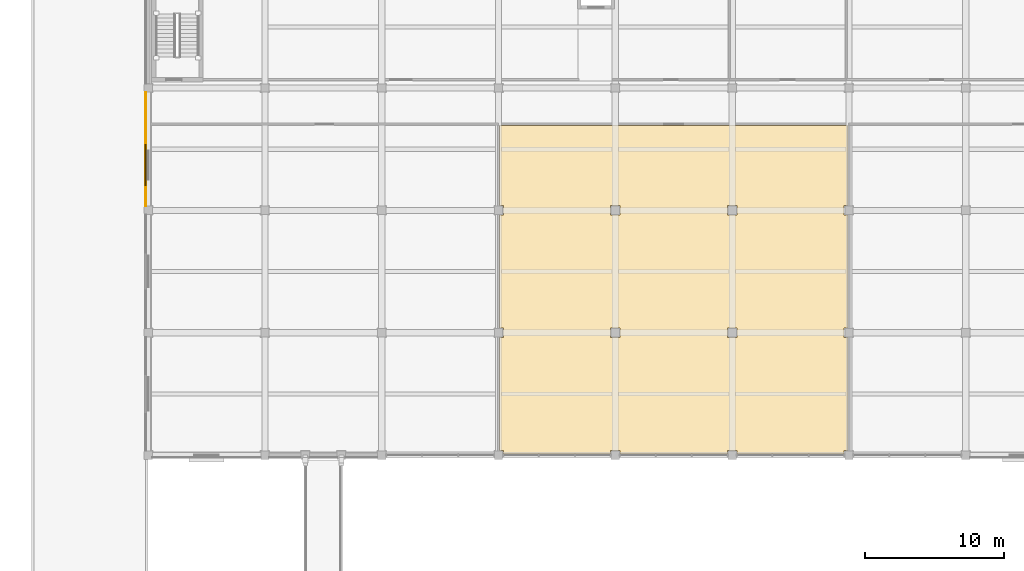
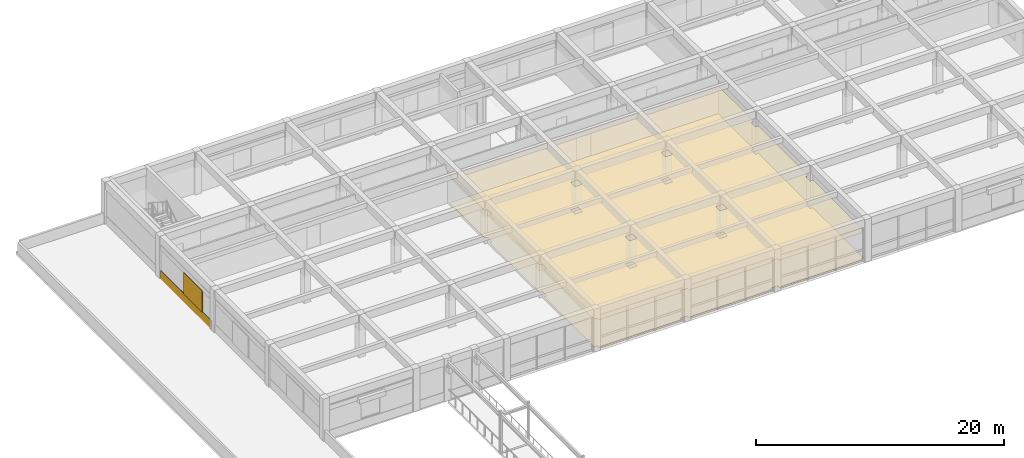
# One storey, part 49 of 57: 3 coverings, 1 shading device.
"""IFC4 building model written with IfcOpenShell, lengths in metres."""

from ifc_helpers import new_model, si_unit, direction, frame, origin, origin_2d, place, context, subcontext, project, spatial, polyline, rectangle, outline, extrude, material, layer, layer_set, type_object, element, save


model = new_model("IFC4")

# Units and contexts
model_context = context("Model", 3, precision=1e-05, world=origin(), true_north=direction((0.0, 1.0)))
body_context = subcontext(model_context, "Body", "Model", "MODEL_VIEW")
ifc_project = project(units=[si_unit("LENGTHUNIT", "METRE"), si_unit("AREAUNIT", "SQUARE_METRE"), si_unit("VOLUMEUNIT", "CUBIC_METRE"), si_unit("PLANEANGLEUNIT", "RADIAN"), si_unit("MASSUNIT", "GRAM", prefix="KILO")], contexts=[model_context])

# Site, building, storey
site_placement = place(None, origin())
site = spatial("IfcSite", under=ifc_project, at=site_placement, CompositionType="ELEMENT")
building_placement = place(site_placement, origin())
building = spatial("IfcBuilding", under=site, at=building_placement, Name="Kemercrest Conservatory and Botanical Centre", CompositionType="ELEMENT")
storey_placement = place(building_placement, frame((0.0, 0.0, 4.800048828125)))
storey = spatial("IfcBuildingStorey", under=building, at=storey_placement, Name="L01", CompositionType="ELEMENT", Elevation=4.800048828125)

# Coverings
ifc_material_1 = material(Name="Honed limestone almasik ashlar rainscreen", Category="masonry")
ifc_layer_1 = layer(ifc_material_1, 0.0400390625)
ifc_layer_set_1 = layer_set([ifc_layer_1], Name="Honed limestone almasik ashlar rainscreen")
covering_type_1 = type_object("IfcCoveringType", Name="CV-CLD040", PredefinedType="CLADDING", material=ifc_layer_set_1)
covering_1_placement = place(storey_placement, origin())
element("IfcCovering", 1, at=covering_1_placement, inside=storey, type_object=covering_type_1, Name="Exterior stone spandrel cladding (WAL:L01:EXT-114)", PredefinedType="CLADDING", context=body_context, shape_type="SweptSolid", body=[
    extrude(outline(polyline([(16.25, 113.2900390625), (16.2099609375, 113.2900390625), (16.2099609375, 105.110107421875), (16.25, 105.110107421875), (16.25, 113.2900390625)])), origin(), (0.0, 0.0, 1.0), 0.849853515625),
])
ifc_material_2 = material(Name="Perforated acoustic gypsum and mineral-fibre suspended ceiling", Category="gypsum")
ifc_layer_2 = layer(ifc_material_2, 0.034912109375)
ifc_layer_set_2 = layer_set([ifc_layer_2], Name="Perforated acoustic gypsum and mineral-fibre suspended ceiling")
covering_type_2 = type_object("IfcCoveringType", Name="CV-CLG035", PredefinedType="CEILING", material=ifc_layer_set_2)
covering_2_placement = place(storey_placement, frame((0.0, 0.0, 2.699951171875)))
element("IfcCovering", 2, at=covering_2_placement, inside=storey, type_object=covering_type_2, Name="Teaching Classroom suspended acoustic ceiling", PredefinedType="CEILING", context=body_context, shape_type="SweptSolid", body=[
    extrude(outline(polyline([(58.06005859375, 87.5400390625), (58.739990234375, 87.5400390625), (58.739990234375, 87.280029296875), (66.4599609375, 87.280029296875), (66.4599609375, 87.5400390625), (66.719970703125, 87.5400390625), (66.719970703125, 95.659912109375), (66.4599609375, 95.659912109375), (66.4599609375, 96.340087890625), (66.719970703125, 96.340087890625), (66.719970703125, 104.4599609375), (66.4599609375, 104.4599609375), (66.4599609375, 105.139892578125), (66.719970703125, 105.139892578125), (66.719970703125, 110.919921875), (41.679931640625, 110.919921875), (41.679931640625, 105.139892578125), (41.93994140625, 105.139892578125), (41.93994140625, 104.4599609375), (41.679931640625, 104.4599609375), (41.679931640625, 96.340087890625), (41.93994140625, 96.340087890625), (41.93994140625, 95.659912109375), (41.679931640625, 95.659912109375), (41.679931640625, 87.5400390625), (41.93994140625, 87.5400390625), (41.93994140625, 87.280029296875), (49.659912109375, 87.280029296875), (49.659912109375, 87.5400390625), (50.340087890625, 87.5400390625), (50.340087890625, 87.280029296875), (58.06005859375, 87.280029296875), (58.06005859375, 87.5400390625)]), holes=[polyline([(58.06005859375, 104.4599609375), (58.06005859375, 105.139892578125), (58.739990234375, 105.139892578125), (58.739990234375, 104.4599609375), (58.06005859375, 104.4599609375)]), polyline([(58.739990234375, 95.659912109375), (58.06005859375, 95.659912109375), (58.06005859375, 96.340087890625), (58.739990234375, 96.340087890625), (58.739990234375, 95.659912109375)]), polyline([(49.659912109375, 95.659912109375), (49.659912109375, 96.340087890625), (50.340087890625, 96.340087890625), (50.340087890625, 95.659912109375), (49.659912109375, 95.659912109375)]), polyline([(50.340087890625, 104.4599609375), (49.659912109375, 104.4599609375), (49.659912109375, 105.139892578125), (50.340087890625, 105.139892578125), (50.340087890625, 104.4599609375)])]), origin(), (0.0, 0.0, 1.0), 0.034912109375),
])
ifc_material_3 = material(Name="Polished limestone terrazzo and seamless laboratory epoxy flooring", Category="masonry")
ifc_layer_3 = layer(ifc_material_3, 0.02001953125)
ifc_layer_set_3 = layer_set([ifc_layer_3], Name="Polished limestone terrazzo and seamless laboratory epoxy flooring")
covering_type_3 = type_object("IfcCoveringType", Name="CV-FLR020", PredefinedType="FLOORING", material=ifc_layer_set_3)
covering_3_placement = place(storey_placement, origin())
element("IfcCovering", 3, at=covering_3_placement, inside=storey, type_object=covering_type_3, Name="Teaching Classroom floor finish", PredefinedType="FLOORING", context=body_context, shape_type="SweptSolid", body=[
    extrude(outline(polyline([(58.06005859375, 87.5400390625), (58.739990234375, 87.5400390625), (58.739990234375, 87.280029296875), (66.4599609375, 87.280029296875), (66.4599609375, 87.5400390625), (66.719970703125, 87.5400390625), (66.719970703125, 95.659912109375), (66.4599609375, 95.659912109375), (66.4599609375, 96.340087890625), (66.719970703125, 96.340087890625), (66.719970703125, 104.4599609375), (66.4599609375, 104.4599609375), (66.4599609375, 105.139892578125), (66.719970703125, 105.139892578125), (66.719970703125, 110.919921875), (41.679931640625, 110.919921875), (41.679931640625, 105.139892578125), (41.93994140625, 105.139892578125), (41.93994140625, 104.4599609375), (41.679931640625, 104.4599609375), (41.679931640625, 96.340087890625), (41.93994140625, 96.340087890625), (41.93994140625, 95.659912109375), (41.679931640625, 95.659912109375), (41.679931640625, 87.5400390625), (41.93994140625, 87.5400390625), (41.93994140625, 87.280029296875), (49.659912109375, 87.280029296875), (49.659912109375, 87.5400390625), (50.340087890625, 87.5400390625), (50.340087890625, 87.280029296875), (58.06005859375, 87.280029296875), (58.06005859375, 87.5400390625)]), holes=[polyline([(58.06005859375, 104.4599609375), (58.06005859375, 105.139892578125), (58.739990234375, 105.139892578125), (58.739990234375, 104.4599609375), (58.06005859375, 104.4599609375)]), polyline([(58.739990234375, 95.659912109375), (58.06005859375, 95.659912109375), (58.06005859375, 96.340087890625), (58.739990234375, 96.340087890625), (58.739990234375, 95.659912109375)]), polyline([(49.659912109375, 95.659912109375), (49.659912109375, 96.340087890625), (50.340087890625, 96.340087890625), (50.340087890625, 95.659912109375), (49.659912109375, 95.659912109375)]), polyline([(50.340087890625, 104.4599609375), (49.659912109375, 104.4599609375), (49.659912109375, 105.139892578125), (50.340087890625, 105.139892578125), (50.340087890625, 104.4599609375)])]), origin(), (0.0, 0.0, 1.0), 0.02001953125),
])

# Shading device
ifc_material_4 = material(Name="Perforated bronze-anodized aluminium", Category="aluminium")
shading_device_type = type_object("IfcShadingDeviceType", Name="SH-MS05", PredefinedType="USERDEFINED", material=ifc_material_4)
shading_device_placement = place(storey_placement, frame((16.2119140625, 108.054931640625, 0.81982421875), z_axis=(0.0, 0.0, 1.0), x_axis=(0.0, -1.0, 0.0)))
element("IfcShadingDevice", 4, at=shading_device_placement, inside=storey, type_object=shading_device_type, Name="Ottoman mashrabiya perforated screen SH-MS05 (WIN:L01:EXT-114)", ObjectType="MASHRABIYA SCREEN", PredefinedType="USERDEFINED", context=body_context, shape_type="SweptSolid", body=[
    extrude(rectangle(XDim=3.0, YDim=0.080078125, at=origin_2d()), origin(), (0.0, 0.0, 1.0), 2.110107421875),
])

save(model, "model.ifc")
